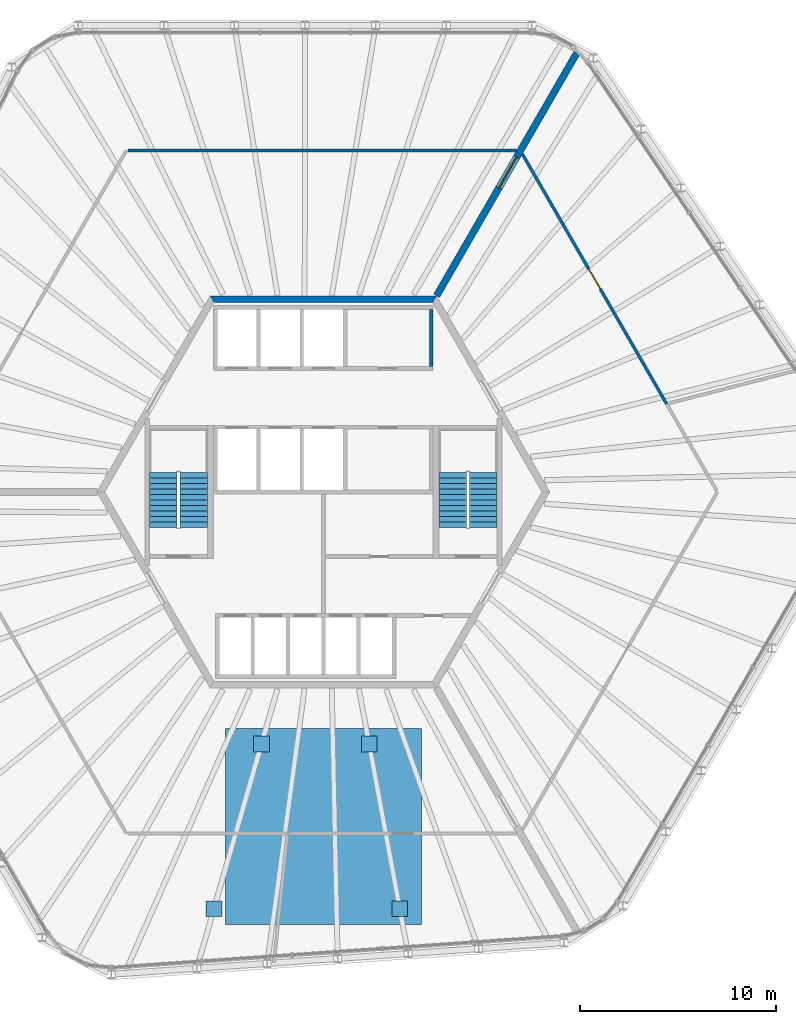
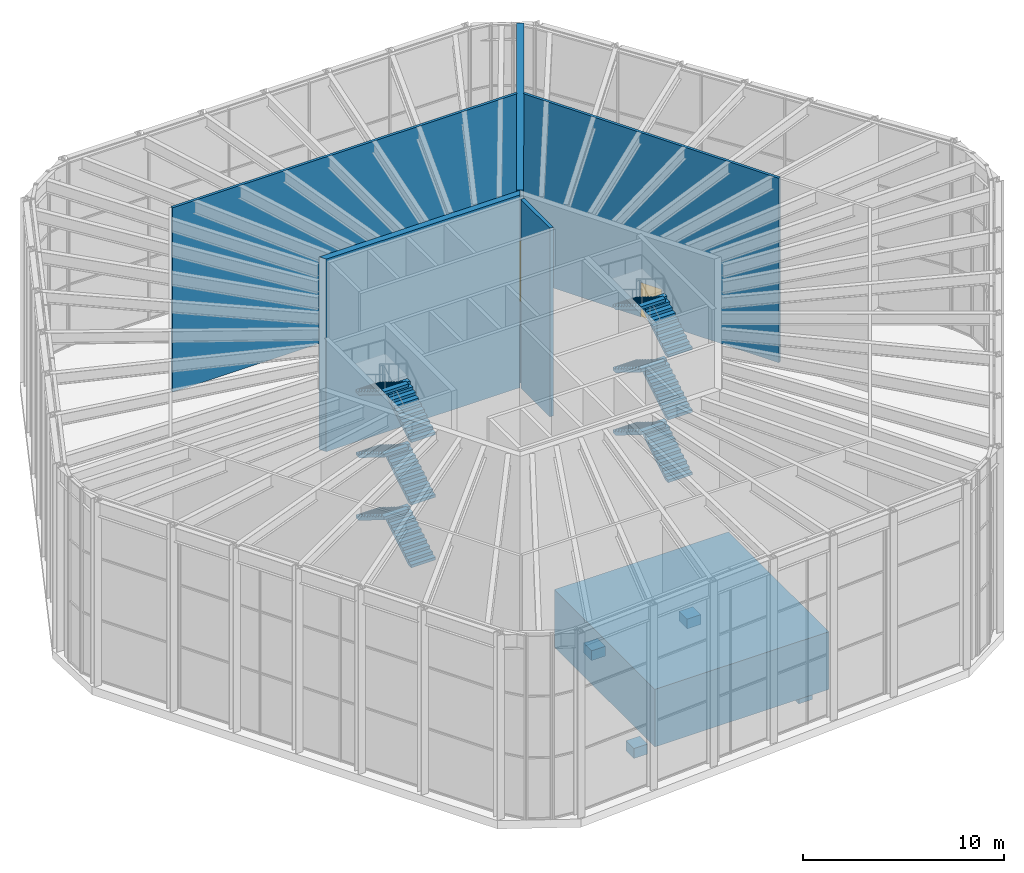
# One storey, part 15 of 17: 12 stair flights, 5 discrete accessories, 5 walls, 2 doors, 2 openings, 2 elements without a shape of their own.
"""IFC4 building model written with IfcOpenShell, lengths in metres."""

import ifcopenshell
import ifcopenshell.guid

model = None  # the IFC model being written
_history = None  # IfcOwnerHistory: only IFC2X3 demands one
_inside = {}  # id of a spatial element -> (the spatial element, [elements in it])
_under = {}  # id of a project, library or spatial element -> (it, [spatial elements below it])
_declared = {}  # id of a project -> (the project, [libraries it declares])
_typed = {}  # id of a type object -> (the type object, [elements of that type])
_made_of = {}  # id of a material, layer set ... -> (it, [elements and type objects made of it])


def new_model(schema):
    """Start an empty IFC model of exactly this schema.

    Asked for "IFC4X3", IfcOpenShell would pick the latest addendum, in which some entities
    have other attributes; the version numbers below select the first issue.
    IFC2X3 requires an IfcOwnerHistory on every rooted entity: one is made here for all.
    """
    global model, _history
    if schema == "IFC4X3":
        model = ifcopenshell.file(schema_version=(4, 3, 0, 0))
    else:
        model = ifcopenshell.file(schema=schema)
    _inside.clear()
    _under.clear()
    _declared.clear()
    _typed.clear()
    _made_of.clear()
    _history = None
    if model.schema == "IFC2X3":
        org = make("IfcOrganization", Name="unknown")
        user = make(
            "IfcPersonAndOrganization",
            ThePerson=make("IfcPerson", FamilyName="unknown"),
            TheOrganization=org,
        )
        app = make(
            "IfcApplication",
            ApplicationDeveloper=org,
            Version="unknown",
            ApplicationFullName="unknown",
            ApplicationIdentifier="unknown",
        )
        _history = make(
            "IfcOwnerHistory",
            OwningUser=user,
            OwningApplication=app,
            ChangeAction="ADDED",
            CreationDate=0,
        )
    return model


def make(cls, **values):
    """One entity of the class cls with the attributes given. An attribute that is None is left unset."""
    return model.create_entity(
        cls, **{name: value for name, value in values.items() if value is not None}
    )


def rooted(cls, **values):
    """An entity with a GlobalId (a new one), such as an element, a storey or a relation."""
    return make(cls, GlobalId=ifcopenshell.guid.new(), OwnerHistory=_history, **values)


def si_unit(unit_type, name, prefix=None):
    """IfcSIUnit, for example si_unit("LENGTHUNIT", "METRE", prefix="MILLI")."""
    return make("IfcSIUnit", UnitType=unit_type, Prefix=prefix, Name=name)


def assignment(units):
    """IfcUnitAssignment: the units of a project."""
    return None if units is None else make("IfcUnitAssignment", Units=units)


def point(xyz):
    """IfcCartesianPoint."""
    return None if xyz is None else make("IfcCartesianPoint", Coordinates=xyz)


def direction(xyz):
    """IfcDirection."""
    return None if xyz is None else make("IfcDirection", DirectionRatios=xyz)


def frame(location, z_axis=None, x_axis=None):
    """IfcAxis2Placement3D, a coordinate frame: its origin and axes. An axis left out is left unset."""
    return make(
        "IfcAxis2Placement3D",
        Location=point(location),
        Axis=direction(z_axis),
        RefDirection=direction(x_axis),
    )


def frame_2d(location, x_axis=None):
    """IfcAxis2Placement2D, a coordinate frame in the plane: its origin and x axis."""
    return make(
        "IfcAxis2Placement2D", Location=point(location), RefDirection=direction(x_axis)
    )


def origin():
    """The frame at (0, 0, 0) with its axes left unset."""
    return frame((0.0, 0.0, 0.0))


def origin_2d():
    """The frame at (0, 0) in the plane with its x axis left unset."""
    return frame_2d((0.0, 0.0))


def place(relative_to, where):
    """IfcLocalPlacement: puts the frame where relative to a parent placement (None: the world)."""
    return make(
        "IfcLocalPlacement", PlacementRelTo=relative_to, RelativePlacement=where
    )


def context(
    kind, dimensions, precision=None, world=None, true_north=None, identifier=None
):
    """IfcGeometricRepresentationContext, for example the 3D "Model" context."""
    return make(
        "IfcGeometricRepresentationContext",
        ContextIdentifier=identifier,
        ContextType=kind,
        CoordinateSpaceDimension=dimensions,
        Precision=precision,
        WorldCoordinateSystem=world,
        TrueNorth=true_north,
    )


def subcontext(parent, identifier, kind, view, scale=None):
    """IfcGeometricRepresentationSubContext, for example "Body" below "Model"."""
    return make(
        "IfcGeometricRepresentationSubContext",
        ContextIdentifier=identifier,
        ContextType=kind,
        ParentContext=parent,
        TargetScale=scale,
        TargetView=view,
    )


def project(units=None, contexts=None):
    """IfcProject with its units and contexts."""
    return rooted(
        "IfcProject",
        Name="project",
        RepresentationContexts=contexts,
        UnitsInContext=assignment(units),
    )


def spatial(cls, under=None, at=None, **own):
    """A site, building, storey or space (cls), placed at a placement, below another one or the project."""
    s = rooted(cls, ObjectPlacement=at, **own)
    if under is not None:
        _under.setdefault(under.id(), (under, []))[1].append(s)
    return s


def polyline(points):
    """IfcPolyline through the points."""
    return make("IfcPolyline", Points=[point(p) for p in points])


def profile(cls, at=None, kind="AREA", **sizes):
    """A parametric profile (cls). Its sizes go by their IFC names, for example OverallWidth=200.0."""
    return make(cls, ProfileType=kind, Position=at, **sizes)


def rectangle(**sizes):
    """IfcRectangleProfileDef."""
    return profile("IfcRectangleProfileDef", **sizes)


def outline(outer, holes=None, kind="AREA"):
    """IfcArbitraryClosedProfileDef: a profile drawn as a closed curve; with holes, ...WithVoids."""
    if holes is None:
        return make("IfcArbitraryClosedProfileDef", ProfileType=kind, OuterCurve=outer)
    return make(
        "IfcArbitraryProfileDefWithVoids",
        ProfileType=kind,
        OuterCurve=outer,
        InnerCurves=holes,
    )


def extrude(swept, where, along, depth):
    """IfcExtrudedAreaSolid: the profile swept, set in the frame where, extruded along a direction by depth."""
    return make(
        "IfcExtrudedAreaSolid",
        SweptArea=swept,
        Position=where,
        ExtrudedDirection=direction(along),
        Depth=depth,
    )


def shape(context_of_items, identifier, shape_type, items):
    """IfcShapeRepresentation: the items that make up one representation, for example the "Body"."""
    return make(
        "IfcShapeRepresentation",
        ContextOfItems=context_of_items,
        RepresentationIdentifier=identifier,
        RepresentationType=shape_type,
        Items=items,
    )


def material(Name=None, Category=None):
    """IfcMaterial."""
    return make("IfcMaterial", Name=Name, Category=Category)


def layer(
    of_material, thickness, ventilated=None, Name=None, Category=None, Priority=None
):
    """IfcMaterialLayer: one layer of a wall or slab, of a material (None: an air gap)."""
    return make(
        "IfcMaterialLayer",
        Material=of_material,
        LayerThickness=thickness,
        IsVentilated=ventilated,
        Name=Name,
        Category=Category,
        Priority=Priority,
    )


def layer_set(layers, Name=None):
    """IfcMaterialLayerSet."""
    return make("IfcMaterialLayerSet", MaterialLayers=layers, LayerSetName=Name)


def made_of(thing, what):
    """Note that an element or type object is made of a material, layer set ...; save() writes the relation."""
    if what is not None:
        _made_of.setdefault(what.id(), (what, []))[1].append(thing)
    return thing


def type_object(cls, material=None, **own):
    """A type object (cls), such as IfcWallType, which elements share."""
    return made_of(rooted(cls, **own), material)


def element(
    cls,
    number,
    at=None,
    inside=None,
    cuts=None,
    type_object=None,
    material=None,
    context=None,
    identifier="Body",
    shape_type=None,
    held_by="IfcProductDefinitionShape",
    body=None,
    shapes=None,
    **own,
):
    """One element of the class cls, such as IfcWall. Its Tag is "e" and its number.

    at: its placement. inside: the storey or other place that contains it. cuts: it is an
    opening in that element (IfcRelVoidsElement). A single representation is given by context,
    identifier, shape_type and body (its items); several are given by shapes. held_by: the class
    of the entity that holds the representations. save() writes the other relations.
    """
    e = rooted(cls, Tag="e%d" % number, ObjectPlacement=at, **own)
    if body is not None:
        shapes = [shape(context, identifier, shape_type, body)]
    if shapes is not None:
        e.Representation = make(held_by, Representations=shapes)
    if inside is not None:
        _inside.setdefault(inside.id(), (inside, []))[1].append(e)
    if cuts is not None:
        rooted(
            "IfcRelVoidsElement", RelatingBuildingElement=cuts, RelatedOpeningElement=e
        )
    if type_object is not None:
        _typed.setdefault(type_object.id(), (type_object, []))[1].append(e)
    return made_of(e, material)


def fill(opening, filler):
    """IfcRelFillsElement: the door or window that sits in an opening."""
    return rooted(
        "IfcRelFillsElement",
        RelatingOpeningElement=opening,
        RelatedBuildingElement=filler,
    )


def aggregate(whole, parts):
    """IfcRelAggregates: a whole, such as a stair, and the parts it consists of."""
    return rooted("IfcRelAggregates", RelatingObject=whole, RelatedObjects=parts)


def save(model, path):
    """Write the relations noted so far, then the file.

    IfcRelAggregates (storeys below a building ...), IfcRelContainedInSpatialStructure (elements
    in a storey), IfcRelDefinesByType, IfcRelAssociatesMaterial and IfcRelDeclares: one each for
    every whole, place, type object, material and project.
    """
    for whole, parts in _under.values():
        aggregate(whole, parts)
    for where, things in _inside.values():
        rooted(
            "IfcRelContainedInSpatialStructure",
            RelatedElements=things,
            RelatingStructure=where,
        )
    for kind, things in _typed.values():
        rooted("IfcRelDefinesByType", RelatedObjects=things, RelatingType=kind)
    for what, things in _made_of.values():
        rooted("IfcRelAssociatesMaterial", RelatedObjects=things, RelatingMaterial=what)
    for by, libraries in _declared.values():
        rooted("IfcRelDeclares", RelatingContext=by, RelatedDefinitions=libraries)
    model.write(path)


model = new_model("IFC4")

# Units and contexts
model_context = context("Model", 3, precision=1e-05, world=origin(), true_north=direction((0.0, 1.0)))
body_context = subcontext(model_context, "Body", "Model", "MODEL_VIEW")
ifc_project = project(units=[si_unit("LENGTHUNIT", "METRE"), si_unit("AREAUNIT", "SQUARE_METRE"), si_unit("VOLUMEUNIT", "CUBIC_METRE"), si_unit("PLANEANGLEUNIT", "RADIAN"), si_unit("MASSUNIT", "GRAM", prefix="KILO")], contexts=[model_context])

# Site, building, storey
site_placement = place(None, origin())
site = spatial("IfcSite", under=ifc_project, at=site_placement, CompositionType="ELEMENT")
building_placement = place(site_placement, origin())
building = spatial("IfcBuilding", under=site, at=building_placement, Name="Tarnside Tower", CompositionType="ELEMENT")
storey_placement = place(building_placement, frame((0.0, 0.0, 376.800048828125)))
storey = spatial("IfcBuildingStorey", under=building, at=storey_placement, Name="L91", CompositionType="ELEMENT", Elevation=376.800048828125)

# Wall
ifc_material_1 = material(Name="Concrete C50/60", Category="concrete")
ifc_layer_1 = layer(ifc_material_1, 0.35009765625)
ifc_layer_set_1 = layer_set([ifc_layer_1], Name="Core wall Z4 350 C50/60")
wall_type_1 = type_object("IfcWallType", Name="Core wall Z4 350 C50/60", PredefinedType="SHEAR", material=ifc_layer_set_1)
wall_1_placement = place(storey_placement, frame((5.672607421875, 9.824951171875, -0.5), z_axis=(0.0, 0.0, 1.0), x_axis=(-1.0, 0.0, 0.0)))
element("IfcWall", 1, at=wall_1_placement, inside=storey, type_object=wall_type_1, Name="L91 core wall face 1", PredefinedType="SHEAR", context=body_context, shape_type="SweptSolid", body=[
    extrude(outline(polyline([(-0.10107421875, -0.175048828125), (11.4462890625, -0.175048828125), (11.244140625, 0.175048828125), (0.10107421875, 0.175048828125), (-0.10107421875, -0.175048828125)])), origin(), (0.0, 0.0, 1.0), 11.699951171875),
])

# Wall, opening, door
wall_2_placement = place(storey_placement, frame((5.7734375, 10.0, -0.5), z_axis=(0.0, 0.0, 1.0), x_axis=(0.500007911273, 0.866020836161, 0.0)))
wall_2 = element("IfcWall", 2, at=wall_2_placement, inside=storey, type_object=wall_type_1, Name="L91 spine wall 1", PredefinedType="SHEAR", context=body_context, shape_type="SweptSolid", body=[
    extrude(rectangle(XDim=14.510498046875, YDim=0.35009765625, at=frame_2d((7.25537109375, 0.0))), origin(), (0.0, 0.0, 1.0), 11.699951171875),
])
opening_1_placement = place(wall_2_placement, frame((6.355224609375, 0.0, 0.5)))
opening_1 = element("IfcOpeningElement", 3, at=opening_1_placement, cuts=wall_2, Name="Opening CD-SPN", PredefinedType="OPENING", context=body_context, shape_type="SweptSolid", body=[
    extrude(rectangle(XDim=1.800048828125, YDim=2.39990234375, at=frame_2d((0.89990234375, 1.199951171875))), frame((0.0, 0.18505859375, 0.0), z_axis=(0.0, -1.0, 0.0), x_axis=(1.0, 0.0, 0.0)), (0.0, 0.0, 1.0), 0.3701171875),
])
ifc_material_2 = material(Name="Steel fire door", Category="steel")
door_type_1 = type_object("IfcDoorType", Name="Spine passage double door FD60 1800x2400", OperationType="NOTDEFINED", PredefinedType="DOOR", material=ifc_material_2)
door_1_placement = place(opening_1_placement, origin())
door_1 = element("IfcDoor", 4, at=door_1_placement, inside=storey, type_object=door_type_1, Name="L91 spine passage door 1", OperationType="DOUBLE_DOOR_SINGLE_SWING", OverallHeight=2.39990234375, OverallWidth=1.800048828125, PredefinedType="DOOR", context=body_context, shape_type="SweptSolid", body=[
    extrude(rectangle(XDim=1.800048828125, YDim=2.39990234375, at=frame_2d((0.89990234375, 1.199951171875))), frame((0.0, 0.02490234375, 0.0), z_axis=(0.0, -1.0, 0.0), x_axis=(1.0, 0.0, 0.0)), (0.0, 0.0, 1.0), 0.050048828125),
])
fill(opening_1, door_1)

# Walls
ifc_material_3 = material(Name="Concrete C40/50", Category="concrete")
ifc_layer_2 = layer(ifc_material_3, 0.199951171875)
ifc_layer_set_2 = layer_set([ifc_layer_2], Name="Lift shaft wall 200 C40/50")
wall_type_2 = type_object("IfcWallType", Name="Lift shaft wall 200 C40/50", PredefinedType="SHEAR", material=ifc_layer_set_2)
wall_3_placement = place(storey_placement, frame((5.5, 6.39990234375, -0.25), z_axis=(0.0, 0.0, 1.0), x_axis=(0.0, 1.0, 0.0)))
element("IfcWall", 5, at=wall_3_placement, inside=storey, type_object=wall_type_2, Name="L91 lift shaft partition R16", PredefinedType="SHEAR", context=body_context, shape_type="SweptSolid", body=[
    extrude(rectangle(XDim=2.900146484375, YDim=0.199951171875, at=frame_2d((1.4501953125, 0.0))), origin(), (0.0, 0.0, 1.0), 11.449951171875),
])
ifc_material_4 = material(Name="Gypsum board")
ifc_layer_3 = layer(ifc_material_4, 0.14990234375)
ifc_layer_set_3 = layer_set([ifc_layer_3], Name="Partition 150 gypsum board on metal stud")
wall_type_3 = type_object("IfcWallType", Name="Partition 150 gypsum board on metal stud", PredefinedType="PARTITIONING", material=ifc_layer_set_3)
wall_4_placement = place(storey_placement, frame((9.843994140625, 17.39990234375, 0.0), z_axis=(0.0, 0.0, 1.0), x_axis=(-1.0, 0.0, 0.0)))
element("IfcWall", 6, at=wall_4_placement, inside=storey, type_object=wall_type_3, Name="Partition 005", PredefinedType="PARTITIONING", context=body_context, shape_type="SweptSolid", body=[
    extrude(rectangle(XDim=19.803466796875, YDim=0.14990234375, at=frame_2d((9.90185546875, 0.0))), origin(), (0.0, 0.0, 1.0), 11.199951171875),
])

# Wall, opening, door
wall_5_placement = place(storey_placement, frame((10.14697265625, 17.22509765625, 0.0), z_axis=(0.0, 0.0, 1.0), x_axis=(0.50000754881, -0.866021045433, 0.0)))
wall_5 = element("IfcWall", 7, at=wall_5_placement, inside=storey, type_object=wall_type_3, Name="Partition 007", PredefinedType="PARTITIONING", context=body_context, shape_type="SweptSolid", body=[
    extrude(rectangle(XDim=14.701904296875, YDim=0.14990234375, at=frame_2d((7.35107421875, 0.0))), origin(), (0.0, 0.0, 1.0), 11.199951171875),
])
opening_2_placement = place(wall_5_placement, frame((6.7509765625, 0.0, 0.0)))
opening_2 = element("IfcOpeningElement", 8, at=opening_2_placement, cuts=wall_5, Name="Opening D1200F30", PredefinedType="OPENING", context=body_context, shape_type="SweptSolid", body=[
    extrude(rectangle(XDim=1.199951171875, YDim=2.10009765625, at=frame_2d((0.60009765625, 1.050048828125))), frame((0.0, 0.0849609375, 0.0), z_axis=(0.0, -1.0, 0.0), x_axis=(1.0, 0.0, 0.0)), (0.0, 0.0, 1.0), 0.169921875),
])
ifc_material_5 = material(Name="Timber door leaf", Category="wood")
door_type_2 = type_object("IfcDoorType", Name="Door 1200 x 2100 single leaf FD30S fire door", OperationType="NOTDEFINED", PredefinedType="DOOR", material=ifc_material_5)
door_2_placement = place(opening_2_placement, origin())
door_2 = element("IfcDoor", 9, at=door_2_placement, inside=storey, type_object=door_type_2, Name="Door L91-05", OperationType="SINGLE_SWING_RIGHT", OverallHeight=2.10009765625, OverallWidth=1.199951171875, PredefinedType="DOOR", context=body_context, shape_type="SweptSolid", body=[
    extrude(rectangle(XDim=1.199951171875, YDim=2.10009765625, at=frame_2d((0.60009765625, 1.050048828125))), frame((0.0, 0.02490234375, 0.0), z_axis=(0.0, -1.0, 0.0), x_axis=(1.0, 0.0, 0.0)), (0.0, 0.0, 1.0), 0.050048828125),
])
fill(opening_2, door_2)

# Stair, stair flights
stair_type = type_object("IfcStairType", Name="Exit stair 1400 clear", PredefinedType="HALF_TURN_STAIR", material=ifc_material_3)
stair_1_placement = place(storey_placement, origin())
stair_1 = element("IfcStair", 10, at=stair_1_placement, inside=storey, type_object=stair_type, Name="L91 Exit stair 1", PredefinedType="HALF_TURN_STAIR")
stair_flight_type = type_object("IfcStairFlightType", Name="Exit stair flight 1400", PredefinedType="STRAIGHT", material=ifc_material_3)
stair_flight_1_placement = place(storey_placement, frame((8.14990234375, -1.800048828125, 0.0), z_axis=(0.0, 0.0, 1.0), x_axis=(0.0, 1.0, 0.0)))
stair_flight_1 = element("IfcStairFlight", 11, at=stair_flight_1_placement, type_object=stair_flight_type, Name="ST1 flight 1", NumberOfRisers=11, NumberOfTreads=10, PredefinedType="STRAIGHT", RiserHeight=0.172727273, TreadLength=0.28, context=body_context, shape_type="SweptSolid", body=[
    extrude(outline(polyline([(0.0, 0.0), (0.0, 0.172607421875), (0.280029296875, 0.172607421875), (0.280029296875, 0.345458984375), (0.56005859375, 0.345458984375), (0.56005859375, 0.51806640625), (0.840087890625, 0.51806640625), (0.840087890625, 0.69091796875), (1.1201171875, 0.69091796875), (1.1201171875, 0.863525390625), (1.39990234375, 0.863525390625), (1.39990234375, 1.036376953125), (1.679931640625, 1.036376953125), (1.679931640625, 1.208984375), (1.9599609375, 1.208984375), (1.9599609375, 1.3818359375), (2.239990234375, 1.3818359375), (2.239990234375, 1.554443359375), (2.52001953125, 1.554443359375), (2.52001953125, 1.727294921875), (2.800048828125, 1.727294921875), (2.800048828125, 1.89990234375), (2.800048828125, 1.551025390625), (0.285400390625, 0.0), (0.0, 0.0)])), frame((0.0, 0.699951171875, 0.0), z_axis=(0.0, -1.0, 0.0), x_axis=(1.0, 0.0, 0.0)), (0.0, 0.0, 1.0), 1.39990234375),
])
stair_flight_2_placement = place(storey_placement, frame((6.60009765625, 1.0, 1.89990234375), z_axis=(0.0, 0.0, 1.0), x_axis=(0.0, -1.0, 0.0)))
stair_flight_2 = element("IfcStairFlight", 12, at=stair_flight_2_placement, type_object=stair_flight_type, Name="ST1 flight 2", NumberOfRisers=11, NumberOfTreads=10, PredefinedType="STRAIGHT", RiserHeight=0.172727273, TreadLength=0.28, context=body_context, shape_type="SweptSolid", body=[
    extrude(outline(polyline([(0.0, 0.0), (0.0, 0.172607421875), (0.280029296875, 0.172607421875), (0.280029296875, 0.345458984375), (0.56005859375, 0.345458984375), (0.56005859375, 0.51806640625), (0.840087890625, 0.51806640625), (0.840087890625, 0.69091796875), (1.1201171875, 0.69091796875), (1.1201171875, 0.863525390625), (1.39990234375, 0.863525390625), (1.39990234375, 1.036376953125), (1.679931640625, 1.036376953125), (1.679931640625, 1.208984375), (1.9599609375, 1.208984375), (1.9599609375, 1.3818359375), (2.239990234375, 1.3818359375), (2.239990234375, 1.554443359375), (2.52001953125, 1.554443359375), (2.52001953125, 1.727294921875), (2.800048828125, 1.727294921875), (2.800048828125, 1.89990234375), (2.800048828125, 1.551025390625), (0.285400390625, 0.0), (0.0, 0.0)])), frame((0.0, 0.699951171875, 0.0), z_axis=(0.0, -1.0, 0.0), x_axis=(1.0, 0.0, 0.0)), (0.0, 0.0, 1.0), 1.39990234375),
])
stair_flight_3_placement = place(storey_placement, frame((8.14990234375, -1.800048828125, 3.800048828125), z_axis=(0.0, 0.0, 1.0), x_axis=(0.0, 1.0, 0.0)))
stair_flight_3 = element("IfcStairFlight", 13, at=stair_flight_3_placement, type_object=stair_flight_type, Name="ST1 flight 3", NumberOfRisers=11, NumberOfTreads=10, PredefinedType="STRAIGHT", RiserHeight=0.172727273, TreadLength=0.28, context=body_context, shape_type="SweptSolid", body=[
    extrude(outline(polyline([(0.0, 0.0), (0.0, 0.172607421875), (0.280029296875, 0.172607421875), (0.280029296875, 0.345458984375), (0.56005859375, 0.345458984375), (0.56005859375, 0.51806640625), (0.840087890625, 0.51806640625), (0.840087890625, 0.69091796875), (1.1201171875, 0.69091796875), (1.1201171875, 0.863525390625), (1.39990234375, 0.863525390625), (1.39990234375, 1.036376953125), (1.679931640625, 1.036376953125), (1.679931640625, 1.208984375), (1.9599609375, 1.208984375), (1.9599609375, 1.3818359375), (2.239990234375, 1.3818359375), (2.239990234375, 1.554443359375), (2.52001953125, 1.554443359375), (2.52001953125, 1.727294921875), (2.800048828125, 1.727294921875), (2.800048828125, 1.89990234375), (2.800048828125, 1.551025390625), (0.285400390625, 0.0), (0.0, 0.0)])), frame((0.0, 0.699951171875, 0.0), z_axis=(0.0, -1.0, 0.0), x_axis=(1.0, 0.0, 0.0)), (0.0, 0.0, 1.0), 1.39990234375),
])
stair_flight_4_placement = place(storey_placement, frame((6.60009765625, 1.0, 5.699951171875), z_axis=(0.0, 0.0, 1.0), x_axis=(0.0, -1.0, 0.0)))
stair_flight_4 = element("IfcStairFlight", 14, at=stair_flight_4_placement, type_object=stair_flight_type, Name="ST1 flight 4", NumberOfRisers=11, NumberOfTreads=10, PredefinedType="STRAIGHT", RiserHeight=0.172727273, TreadLength=0.28, context=body_context, shape_type="SweptSolid", body=[
    extrude(outline(polyline([(0.0, 0.0), (0.0, 0.172607421875), (0.280029296875, 0.172607421875), (0.280029296875, 0.345458984375), (0.56005859375, 0.345458984375), (0.56005859375, 0.51806640625), (0.840087890625, 0.51806640625), (0.840087890625, 0.69091796875), (1.1201171875, 0.69091796875), (1.1201171875, 0.863525390625), (1.39990234375, 0.863525390625), (1.39990234375, 1.036376953125), (1.679931640625, 1.036376953125), (1.679931640625, 1.208984375), (1.9599609375, 1.208984375), (1.9599609375, 1.3818359375), (2.239990234375, 1.3818359375), (2.239990234375, 1.554443359375), (2.52001953125, 1.554443359375), (2.52001953125, 1.727294921875), (2.800048828125, 1.727294921875), (2.800048828125, 1.89990234375), (2.800048828125, 1.551025390625), (0.285400390625, 0.0), (0.0, 0.0)])), frame((0.0, 0.699951171875, 0.0), z_axis=(0.0, -1.0, 0.0), x_axis=(1.0, 0.0, 0.0)), (0.0, 0.0, 1.0), 1.39990234375),
])
stair_flight_5_placement = place(storey_placement, frame((8.14990234375, -1.800048828125, 7.599853515625), z_axis=(0.0, 0.0, 1.0), x_axis=(0.0, 1.0, 0.0)))
stair_flight_5 = element("IfcStairFlight", 15, at=stair_flight_5_placement, type_object=stair_flight_type, Name="ST1 flight 5", NumberOfRisers=11, NumberOfTreads=10, PredefinedType="STRAIGHT", RiserHeight=0.172727273, TreadLength=0.28, context=body_context, shape_type="SweptSolid", body=[
    extrude(outline(polyline([(0.0, 0.0), (0.0, 0.172607421875), (0.280029296875, 0.172607421875), (0.280029296875, 0.345458984375), (0.56005859375, 0.345458984375), (0.56005859375, 0.51806640625), (0.840087890625, 0.51806640625), (0.840087890625, 0.69091796875), (1.1201171875, 0.69091796875), (1.1201171875, 0.863525390625), (1.39990234375, 0.863525390625), (1.39990234375, 1.036376953125), (1.679931640625, 1.036376953125), (1.679931640625, 1.208984375), (1.9599609375, 1.208984375), (1.9599609375, 1.3818359375), (2.239990234375, 1.3818359375), (2.239990234375, 1.554443359375), (2.52001953125, 1.554443359375), (2.52001953125, 1.727294921875), (2.800048828125, 1.727294921875), (2.800048828125, 1.89990234375), (2.800048828125, 1.551025390625), (0.285400390625, 0.0), (0.0, 0.0)])), frame((0.0, 0.699951171875, 0.0), z_axis=(0.0, -1.0, 0.0), x_axis=(1.0, 0.0, 0.0)), (0.0, 0.0, 1.0), 1.39990234375),
])
stair_flight_6_placement = place(storey_placement, frame((6.60009765625, 1.0, 9.5), z_axis=(0.0, 0.0, 1.0), x_axis=(0.0, -1.0, 0.0)))
stair_flight_6 = element("IfcStairFlight", 16, at=stair_flight_6_placement, type_object=stair_flight_type, Name="ST1 flight 6", NumberOfRisers=11, NumberOfTreads=10, PredefinedType="STRAIGHT", RiserHeight=0.172727273, TreadLength=0.28, context=body_context, shape_type="SweptSolid", body=[
    extrude(outline(polyline([(0.0, 0.0), (0.0, 0.172607421875), (0.280029296875, 0.172607421875), (0.280029296875, 0.345458984375), (0.56005859375, 0.345458984375), (0.56005859375, 0.51806640625), (0.840087890625, 0.51806640625), (0.840087890625, 0.69091796875), (1.1201171875, 0.69091796875), (1.1201171875, 0.863525390625), (1.39990234375, 0.863525390625), (1.39990234375, 1.036376953125), (1.679931640625, 1.036376953125), (1.679931640625, 1.208984375), (1.9599609375, 1.208984375), (1.9599609375, 1.3818359375), (2.239990234375, 1.3818359375), (2.239990234375, 1.554443359375), (2.52001953125, 1.554443359375), (2.52001953125, 1.727294921875), (2.800048828125, 1.727294921875), (2.800048828125, 1.89990234375), (2.800048828125, 1.551025390625), (0.285400390625, 0.0), (0.0, 0.0)])), frame((0.0, 0.699951171875, 0.0), z_axis=(0.0, -1.0, 0.0), x_axis=(1.0, 0.0, 0.0)), (0.0, 0.0, 1.0), 1.39990234375),
])
aggregate(stair_1, [stair_flight_1, stair_flight_2, stair_flight_3, stair_flight_4, stair_flight_5, stair_flight_6])

stair_2_placement = place(storey_placement, origin())
stair_2 = element("IfcStair", 17, at=stair_2_placement, inside=storey, type_object=stair_type, Name="L91 Exit stair 2", PredefinedType="HALF_TURN_STAIR")
stair_flight_7_placement = place(storey_placement, frame((-6.60009765625, -1.800048828125, 0.0), z_axis=(0.0, 0.0, 1.0), x_axis=(0.0, 1.0, 0.0)))
stair_flight_7 = element("IfcStairFlight", 18, at=stair_flight_7_placement, type_object=stair_flight_type, Name="ST2 flight 1", NumberOfRisers=11, NumberOfTreads=10, PredefinedType="STRAIGHT", RiserHeight=0.172727273, TreadLength=0.28, context=body_context, shape_type="SweptSolid", body=[
    extrude(outline(polyline([(0.0, 0.0), (0.0, 0.172607421875), (0.280029296875, 0.172607421875), (0.280029296875, 0.345458984375), (0.56005859375, 0.345458984375), (0.56005859375, 0.51806640625), (0.840087890625, 0.51806640625), (0.840087890625, 0.69091796875), (1.1201171875, 0.69091796875), (1.1201171875, 0.863525390625), (1.39990234375, 0.863525390625), (1.39990234375, 1.036376953125), (1.679931640625, 1.036376953125), (1.679931640625, 1.208984375), (1.9599609375, 1.208984375), (1.9599609375, 1.3818359375), (2.239990234375, 1.3818359375), (2.239990234375, 1.554443359375), (2.52001953125, 1.554443359375), (2.52001953125, 1.727294921875), (2.800048828125, 1.727294921875), (2.800048828125, 1.89990234375), (2.800048828125, 1.551025390625), (0.285400390625, 0.0), (0.0, 0.0)])), frame((0.0, 0.699951171875, 0.0), z_axis=(0.0, -1.0, 0.0), x_axis=(1.0, 0.0, 0.0)), (0.0, 0.0, 1.0), 1.39990234375),
])
stair_flight_8_placement = place(storey_placement, frame((-8.14990234375, 1.0, 1.89990234375), z_axis=(0.0, 0.0, 1.0), x_axis=(0.0, -1.0, 0.0)))
stair_flight_8 = element("IfcStairFlight", 19, at=stair_flight_8_placement, type_object=stair_flight_type, Name="ST2 flight 2", NumberOfRisers=11, NumberOfTreads=10, PredefinedType="STRAIGHT", RiserHeight=0.172727273, TreadLength=0.28, context=body_context, shape_type="SweptSolid", body=[
    extrude(outline(polyline([(0.0, 0.0), (0.0, 0.172607421875), (0.280029296875, 0.172607421875), (0.280029296875, 0.345458984375), (0.56005859375, 0.345458984375), (0.56005859375, 0.51806640625), (0.840087890625, 0.51806640625), (0.840087890625, 0.69091796875), (1.1201171875, 0.69091796875), (1.1201171875, 0.863525390625), (1.39990234375, 0.863525390625), (1.39990234375, 1.036376953125), (1.679931640625, 1.036376953125), (1.679931640625, 1.208984375), (1.9599609375, 1.208984375), (1.9599609375, 1.3818359375), (2.239990234375, 1.3818359375), (2.239990234375, 1.554443359375), (2.52001953125, 1.554443359375), (2.52001953125, 1.727294921875), (2.800048828125, 1.727294921875), (2.800048828125, 1.89990234375), (2.800048828125, 1.551025390625), (0.285400390625, 0.0), (0.0, 0.0)])), frame((0.0, 0.699951171875, 0.0), z_axis=(0.0, -1.0, 0.0), x_axis=(1.0, 0.0, 0.0)), (0.0, 0.0, 1.0), 1.39990234375),
])
stair_flight_9_placement = place(storey_placement, frame((-6.60009765625, -1.800048828125, 3.800048828125), z_axis=(0.0, 0.0, 1.0), x_axis=(0.0, 1.0, 0.0)))
stair_flight_9 = element("IfcStairFlight", 20, at=stair_flight_9_placement, type_object=stair_flight_type, Name="ST2 flight 3", NumberOfRisers=11, NumberOfTreads=10, PredefinedType="STRAIGHT", RiserHeight=0.172727273, TreadLength=0.28, context=body_context, shape_type="SweptSolid", body=[
    extrude(outline(polyline([(0.0, 0.0), (0.0, 0.172607421875), (0.280029296875, 0.172607421875), (0.280029296875, 0.345458984375), (0.56005859375, 0.345458984375), (0.56005859375, 0.51806640625), (0.840087890625, 0.51806640625), (0.840087890625, 0.69091796875), (1.1201171875, 0.69091796875), (1.1201171875, 0.863525390625), (1.39990234375, 0.863525390625), (1.39990234375, 1.036376953125), (1.679931640625, 1.036376953125), (1.679931640625, 1.208984375), (1.9599609375, 1.208984375), (1.9599609375, 1.3818359375), (2.239990234375, 1.3818359375), (2.239990234375, 1.554443359375), (2.52001953125, 1.554443359375), (2.52001953125, 1.727294921875), (2.800048828125, 1.727294921875), (2.800048828125, 1.89990234375), (2.800048828125, 1.551025390625), (0.285400390625, 0.0), (0.0, 0.0)])), frame((0.0, 0.699951171875, 0.0), z_axis=(0.0, -1.0, 0.0), x_axis=(1.0, 0.0, 0.0)), (0.0, 0.0, 1.0), 1.39990234375),
])
stair_flight_10_placement = place(storey_placement, frame((-8.14990234375, 1.0, 5.699951171875), z_axis=(0.0, 0.0, 1.0), x_axis=(0.0, -1.0, 0.0)))
stair_flight_10 = element("IfcStairFlight", 21, at=stair_flight_10_placement, type_object=stair_flight_type, Name="ST2 flight 4", NumberOfRisers=11, NumberOfTreads=10, PredefinedType="STRAIGHT", RiserHeight=0.172727273, TreadLength=0.28, context=body_context, shape_type="SweptSolid", body=[
    extrude(outline(polyline([(0.0, 0.0), (0.0, 0.172607421875), (0.280029296875, 0.172607421875), (0.280029296875, 0.345458984375), (0.56005859375, 0.345458984375), (0.56005859375, 0.51806640625), (0.840087890625, 0.51806640625), (0.840087890625, 0.69091796875), (1.1201171875, 0.69091796875), (1.1201171875, 0.863525390625), (1.39990234375, 0.863525390625), (1.39990234375, 1.036376953125), (1.679931640625, 1.036376953125), (1.679931640625, 1.208984375), (1.9599609375, 1.208984375), (1.9599609375, 1.3818359375), (2.239990234375, 1.3818359375), (2.239990234375, 1.554443359375), (2.52001953125, 1.554443359375), (2.52001953125, 1.727294921875), (2.800048828125, 1.727294921875), (2.800048828125, 1.89990234375), (2.800048828125, 1.551025390625), (0.285400390625, 0.0), (0.0, 0.0)])), frame((0.0, 0.699951171875, 0.0), z_axis=(0.0, -1.0, 0.0), x_axis=(1.0, 0.0, 0.0)), (0.0, 0.0, 1.0), 1.39990234375),
])
stair_flight_11_placement = place(storey_placement, frame((-6.60009765625, -1.800048828125, 7.599853515625), z_axis=(0.0, 0.0, 1.0), x_axis=(0.0, 1.0, 0.0)))
stair_flight_11 = element("IfcStairFlight", 22, at=stair_flight_11_placement, type_object=stair_flight_type, Name="ST2 flight 5", NumberOfRisers=11, NumberOfTreads=10, PredefinedType="STRAIGHT", RiserHeight=0.172727273, TreadLength=0.28, context=body_context, shape_type="SweptSolid", body=[
    extrude(outline(polyline([(0.0, 0.0), (0.0, 0.172607421875), (0.280029296875, 0.172607421875), (0.280029296875, 0.345458984375), (0.56005859375, 0.345458984375), (0.56005859375, 0.51806640625), (0.840087890625, 0.51806640625), (0.840087890625, 0.69091796875), (1.1201171875, 0.69091796875), (1.1201171875, 0.863525390625), (1.39990234375, 0.863525390625), (1.39990234375, 1.036376953125), (1.679931640625, 1.036376953125), (1.679931640625, 1.208984375), (1.9599609375, 1.208984375), (1.9599609375, 1.3818359375), (2.239990234375, 1.3818359375), (2.239990234375, 1.554443359375), (2.52001953125, 1.554443359375), (2.52001953125, 1.727294921875), (2.800048828125, 1.727294921875), (2.800048828125, 1.89990234375), (2.800048828125, 1.551025390625), (0.285400390625, 0.0), (0.0, 0.0)])), frame((0.0, 0.699951171875, 0.0), z_axis=(0.0, -1.0, 0.0), x_axis=(1.0, 0.0, 0.0)), (0.0, 0.0, 1.0), 1.39990234375),
])
stair_flight_12_placement = place(storey_placement, frame((-8.14990234375, 1.0, 9.5), z_axis=(0.0, 0.0, 1.0), x_axis=(0.0, -1.0, 0.0)))
stair_flight_12 = element("IfcStairFlight", 23, at=stair_flight_12_placement, type_object=stair_flight_type, Name="ST2 flight 6", NumberOfRisers=11, NumberOfTreads=10, PredefinedType="STRAIGHT", RiserHeight=0.172727273, TreadLength=0.28, context=body_context, shape_type="SweptSolid", body=[
    extrude(outline(polyline([(0.0, 0.0), (0.0, 0.172607421875), (0.280029296875, 0.172607421875), (0.280029296875, 0.345458984375), (0.56005859375, 0.345458984375), (0.56005859375, 0.51806640625), (0.840087890625, 0.51806640625), (0.840087890625, 0.69091796875), (1.1201171875, 0.69091796875), (1.1201171875, 0.863525390625), (1.39990234375, 0.863525390625), (1.39990234375, 1.036376953125), (1.679931640625, 1.036376953125), (1.679931640625, 1.208984375), (1.9599609375, 1.208984375), (1.9599609375, 1.3818359375), (2.239990234375, 1.3818359375), (2.239990234375, 1.554443359375), (2.52001953125, 1.554443359375), (2.52001953125, 1.727294921875), (2.800048828125, 1.727294921875), (2.800048828125, 1.89990234375), (2.800048828125, 1.551025390625), (0.285400390625, 0.0), (0.0, 0.0)])), frame((0.0, 0.699951171875, 0.0), z_axis=(0.0, -1.0, 0.0), x_axis=(1.0, 0.0, 0.0)), (0.0, 0.0, 1.0), 1.39990234375),
])
aggregate(stair_2, [stair_flight_7, stair_flight_8, stair_flight_9, stair_flight_10, stair_flight_11, stair_flight_12])

# Discrete accessories
ifc_material_6 = material(Name="Steel S355", Category="steel")
discrete_accessory_type_1 = type_object("IfcDiscreteAccessoryType", Name="Damper spring support", PredefinedType="USERDEFINED", material=ifc_material_6)
for number, where, z_axis, x_axis, name in (
    (24, (-5.5771484375, -21.25, 0.0), (0.0, 0.0, 1.0), (1.0, 0.0, 0.0), "Spring support 1"),
    (25, (-3.152099609375, -12.85009765625, 0.0), (0.0, 0.0, 1.0), (1.0, 0.0, 0.0), "Spring support 2"),
    (26, (3.896240234375, -21.25, 0.0), (0.0, 0.0, 1.0), (1.0, 0.0, 0.0), "Spring support 3"),
    (27, (2.333984375, -12.85009765625, 0.0), (0.0, 0.0, 1.0), (1.0, 0.0, 0.0), "Spring support 4"),
):
    element("IfcDiscreteAccessory", number, at=place(storey_placement, frame(where, z_axis=z_axis, x_axis=x_axis)), inside=storey, type_object=discrete_accessory_type_1, Name=name, ObjectType="Spring support", PredefinedType="USERDEFINED", context=body_context, shape_type="SweptSolid", body=[
        extrude(rectangle(XDim=0.800048828125, YDim=0.800048828125, at=origin_2d()), origin(), (0.0, 0.0, 1.0), 0.60009765625),
    ])
discrete_accessory_type_2 = type_object("IfcDiscreteAccessoryType", Name="Tuned mass damper block", PredefinedType="USERDEFINED", material=ifc_material_6)
discrete_accessory_placement = place(storey_placement, frame((0.0, -17.050048828125, 0.599853515625), z_axis=(0.0, 0.0, 1.0), x_axis=(1.0, 0.0, 0.0)))
element("IfcDiscreteAccessory", 28, at=discrete_accessory_placement, inside=storey, type_object=discrete_accessory_type_2, Name="Tuned mass damper", ObjectType="Tuned mass damper", PredefinedType="USERDEFINED", context=body_context, shape_type="SweptSolid", body=[
    extrude(rectangle(XDim=10.0, YDim=10.0, at=origin_2d()), origin(), (0.0, 0.0, 1.0), 3.5),
])

save(model, "model.ifc")
